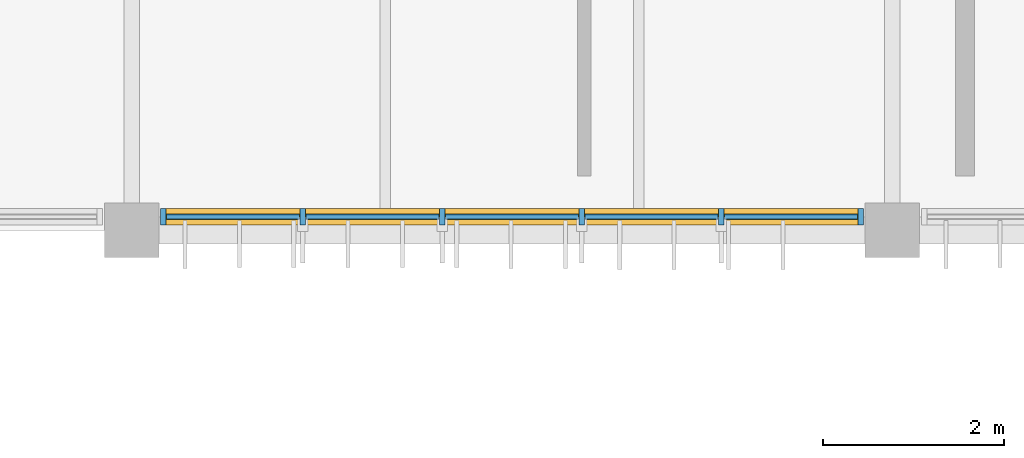
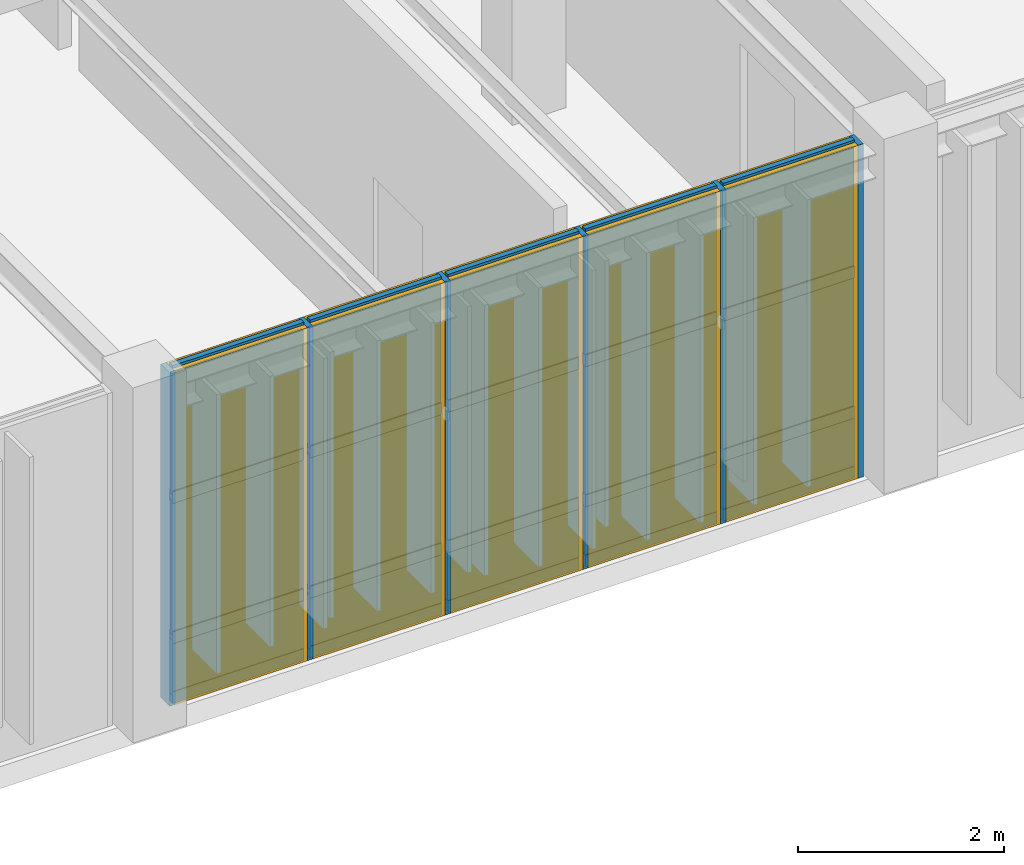
# One storey, part 67 of 122: 26 members, 15 plates, 1 curtain wall.
"""IFC4 building model written with IfcOpenShell, lengths in metres."""

from ifc_helpers import new_model, si_unit, direction, frame, frame_2d, origin, origin_2d, place, context, subcontext, project, spatial, rectangle, extrude, material, layer, layer_set, material_profile, profile_set, type_object, element, aggregate, save


model = new_model("IFC4")

# Units and contexts
model_context = context("Model", 3, precision=1e-05, world=origin(), true_north=direction((0.0, 1.0)))
body_context = subcontext(model_context, "Body", "Model", "MODEL_VIEW")
ifc_project = project(units=[si_unit("LENGTHUNIT", "METRE"), si_unit("AREAUNIT", "SQUARE_METRE"), si_unit("VOLUMEUNIT", "CUBIC_METRE"), si_unit("PLANEANGLEUNIT", "RADIAN"), si_unit("MASSUNIT", "GRAM", prefix="KILO")], contexts=[model_context])

# Member
ifc_material_1 = material(Name="Anodised Bronze Aluminium 6063-T6", Category="aluminium")
ifc_material_profile_1 = material_profile(ifc_material_1, rectangle(XDim=0.06005859375, YDim=0.179931640625, at=origin_2d()), Name="ALU MULLION 60x180")
ifc_profile_set_1 = profile_set([ifc_material_profile_1], Name="Anodised Bronze Aluminium 6063-T6")
member_type_1 = type_object("IfcMemberType", Name="Curtain-Wall Primary Mullion 60x180", PredefinedType="MULLION", material=ifc_profile_set_1)
site_placement = place(None, origin())
building_placement = place(site_placement, origin())
storey_placement = place(building_placement, frame((0.0, 0.0, 4.800048828125)))
member_1_placement = place(storey_placement, frame((11.14990234375, 44.75, 0.0), z_axis=(0.0, 0.0, 1.0), x_axis=(1.0, 0.0, 0.0)))
member_1 = element("IfcMember", 1, at=member_1_placement, type_object=member_type_1, Name="Mullion CWM-01 CW-V6-S-L01-B2-M01", PredefinedType="MULLION", context=body_context, shape_type="SweptSolid", body=[
    extrude(rectangle(XDim=0.06005859375, YDim=0.179931640625, at=origin_2d()), origin(), (0.0, 0.0, 1.0), 3.93994140625),
])

member_2_placement = place(storey_placement, frame((12.68994140625, 44.75, 0.0), z_axis=(0.0, 0.0, 1.0), x_axis=(1.0, 0.0, 0.0)))
member_2 = element("IfcMember", 2, at=member_2_placement, type_object=member_type_1, Name="Mullion CWM-01 CW-V6-S-L01-B2-M02", PredefinedType="MULLION", context=body_context, shape_type="SweptSolid", body=[
    extrude(rectangle(XDim=0.06005859375, YDim=0.179931640625, at=origin_2d()), origin(), (0.0, 0.0, 1.0), 3.93994140625),
])

member_3_placement = place(storey_placement, frame((14.22998046875, 44.75, 0.0), z_axis=(0.0, 0.0, 1.0), x_axis=(1.0, 0.0, 0.0)))
member_3 = element("IfcMember", 3, at=member_3_placement, type_object=member_type_1, Name="Mullion CWM-01 CW-V6-S-L01-B2-M03", PredefinedType="MULLION", context=body_context, shape_type="SweptSolid", body=[
    extrude(rectangle(XDim=0.06005859375, YDim=0.179931640625, at=origin_2d()), origin(), (0.0, 0.0, 1.0), 3.93994140625),
])

member_4_placement = place(storey_placement, frame((15.77001953125, 44.75, 0.0), z_axis=(0.0, 0.0, 1.0), x_axis=(1.0, 0.0, 0.0)))
member_4 = element("IfcMember", 4, at=member_4_placement, type_object=member_type_1, Name="Mullion CWM-01 CW-V6-S-L01-B2-M04", PredefinedType="MULLION", context=body_context, shape_type="SweptSolid", body=[
    extrude(rectangle(XDim=0.06005859375, YDim=0.179931640625, at=origin_2d()), origin(), (0.0, 0.0, 1.0), 3.93994140625),
])

member_5_placement = place(storey_placement, frame((17.31005859375, 44.75, 0.0), z_axis=(0.0, 0.0, 1.0), x_axis=(1.0, 0.0, 0.0)))
member_5 = element("IfcMember", 5, at=member_5_placement, type_object=member_type_1, Name="Mullion CWM-01 CW-V6-S-L01-B2-M05", PredefinedType="MULLION", context=body_context, shape_type="SweptSolid", body=[
    extrude(rectangle(XDim=0.06005859375, YDim=0.179931640625, at=origin_2d()), origin(), (0.0, 0.0, 1.0), 3.93994140625),
])

member_6_placement = place(storey_placement, frame((18.85009765625, 44.75, 0.0), z_axis=(0.0, 0.0, 1.0), x_axis=(1.0, 0.0, 0.0)))
member_6 = element("IfcMember", 6, at=member_6_placement, type_object=member_type_1, Name="Mullion CWM-01 CW-V6-S-L01-B2-M06", PredefinedType="MULLION", context=body_context, shape_type="SweptSolid", body=[
    extrude(rectangle(XDim=0.06005859375, YDim=0.179931640625, at=origin_2d()), origin(), (0.0, 0.0, 1.0), 3.93994140625),
])

ifc_material_profile_2 = material_profile(ifc_material_1, rectangle(XDim=0.06005859375, YDim=0.139892578125, at=origin_2d()), Name="ALU TRANSOM 60x140")
ifc_profile_set_2 = profile_set([ifc_material_profile_2], Name="Anodised Bronze Aluminium 6063-T6")
member_type_2 = type_object("IfcMemberType", Name="Curtain-Wall Transom 60x140", PredefinedType="USERDEFINED", material=ifc_profile_set_2)
member_7_placement = place(storey_placement, frame((11.18505859375, 44.75, 0.0400390625), z_axis=(1.0, 0.0, 0.0), x_axis=(0.0, 1.0, 0.0)))
member_7 = element("IfcMember", 7, at=member_7_placement, type_object=member_type_2, Name="Transom CWT-01 CW-V6-S-L01-B2-T01.1", ObjectType="TRANSOM", PredefinedType="USERDEFINED", context=body_context, shape_type="SweptSolid", body=[
    extrude(rectangle(XDim=0.06005859375, YDim=0.139892578125, at=origin_2d()), origin(), (0.0, 0.0, 1.0), 1.469970703125),
])

member_8_placement = place(storey_placement, frame((11.18505859375, 44.75, 0.75), z_axis=(1.0, 0.0, 0.0), x_axis=(0.0, 1.0, 0.0)))
member_8 = element("IfcMember", 8, at=member_8_placement, type_object=member_type_2, Name="Transom CWT-01 CW-V6-S-L01-B2-T01.2", ObjectType="TRANSOM", PredefinedType="USERDEFINED", context=body_context, shape_type="SweptSolid", body=[
    extrude(rectangle(XDim=0.06005859375, YDim=0.139892578125, at=origin_2d()), origin(), (0.0, 0.0, 1.0), 1.469970703125),
])

member_9_placement = place(storey_placement, frame((11.18505859375, 44.75, 2.40869140625), z_axis=(1.0, 0.0, 0.0), x_axis=(0.0, 1.0, 0.0)))
member_9 = element("IfcMember", 9, at=member_9_placement, type_object=member_type_2, Name="Transom CWT-01 CW-V6-S-L01-B2-T01.3", ObjectType="TRANSOM", PredefinedType="USERDEFINED", context=body_context, shape_type="SweptSolid", body=[
    extrude(rectangle(XDim=0.06005859375, YDim=0.139892578125, at=origin_2d()), origin(), (0.0, 0.0, 1.0), 1.469970703125),
])

member_10_placement = place(storey_placement, frame((11.18505859375, 44.75, 3.89990234375), z_axis=(1.0, 0.0, 0.0), x_axis=(0.0, 1.0, 0.0)))
member_10 = element("IfcMember", 10, at=member_10_placement, type_object=member_type_2, Name="Transom CWT-01 CW-V6-S-L01-B2-T01.4", ObjectType="TRANSOM", PredefinedType="USERDEFINED", context=body_context, shape_type="SweptSolid", body=[
    extrude(rectangle(XDim=0.06005859375, YDim=0.139892578125, at=origin_2d()), origin(), (0.0, 0.0, 1.0), 1.469970703125),
])

member_11_placement = place(storey_placement, frame((12.72509765625, 44.75, 0.0400390625), z_axis=(1.0, 0.0, 0.0), x_axis=(0.0, 1.0, 0.0)))
member_11 = element("IfcMember", 11, at=member_11_placement, type_object=member_type_2, Name="Transom CWT-01 CW-V6-S-L01-B2-T02.1", ObjectType="TRANSOM", PredefinedType="USERDEFINED", context=body_context, shape_type="SweptSolid", body=[
    extrude(rectangle(XDim=0.06005859375, YDim=0.139892578125, at=origin_2d()), origin(), (0.0, 0.0, 1.0), 1.469970703125),
])

member_12_placement = place(storey_placement, frame((12.72509765625, 44.75, 0.75), z_axis=(1.0, 0.0, 0.0), x_axis=(0.0, 1.0, 0.0)))
member_12 = element("IfcMember", 12, at=member_12_placement, type_object=member_type_2, Name="Transom CWT-01 CW-V6-S-L01-B2-T02.2", ObjectType="TRANSOM", PredefinedType="USERDEFINED", context=body_context, shape_type="SweptSolid", body=[
    extrude(rectangle(XDim=0.06005859375, YDim=0.139892578125, at=origin_2d()), origin(), (0.0, 0.0, 1.0), 1.469970703125),
])

member_13_placement = place(storey_placement, frame((12.72509765625, 44.75, 2.40869140625), z_axis=(1.0, 0.0, 0.0), x_axis=(0.0, 1.0, 0.0)))
member_13 = element("IfcMember", 13, at=member_13_placement, type_object=member_type_2, Name="Transom CWT-01 CW-V6-S-L01-B2-T02.3", ObjectType="TRANSOM", PredefinedType="USERDEFINED", context=body_context, shape_type="SweptSolid", body=[
    extrude(rectangle(XDim=0.06005859375, YDim=0.139892578125, at=origin_2d()), origin(), (0.0, 0.0, 1.0), 1.469970703125),
])

member_14_placement = place(storey_placement, frame((12.72509765625, 44.75, 3.89990234375), z_axis=(1.0, 0.0, 0.0), x_axis=(0.0, 1.0, 0.0)))
member_14 = element("IfcMember", 14, at=member_14_placement, type_object=member_type_2, Name="Transom CWT-01 CW-V6-S-L01-B2-T02.4", ObjectType="TRANSOM", PredefinedType="USERDEFINED", context=body_context, shape_type="SweptSolid", body=[
    extrude(rectangle(XDim=0.06005859375, YDim=0.139892578125, at=origin_2d()), origin(), (0.0, 0.0, 1.0), 1.469970703125),
])

member_15_placement = place(storey_placement, frame((14.264892578125, 44.75, 0.0400390625), z_axis=(1.0, 0.0, 0.0), x_axis=(0.0, 1.0, 0.0)))
member_15 = element("IfcMember", 15, at=member_15_placement, type_object=member_type_2, Name="Transom CWT-01 CW-V6-S-L01-B2-T03.1", ObjectType="TRANSOM", PredefinedType="USERDEFINED", context=body_context, shape_type="SweptSolid", body=[
    extrude(rectangle(XDim=0.06005859375, YDim=0.139892578125, at=origin_2d()), origin(), (0.0, 0.0, 1.0), 1.47021484375),
])

member_16_placement = place(storey_placement, frame((14.264892578125, 44.75, 0.75), z_axis=(1.0, 0.0, 0.0), x_axis=(0.0, 1.0, 0.0)))
member_16 = element("IfcMember", 16, at=member_16_placement, type_object=member_type_2, Name="Transom CWT-01 CW-V6-S-L01-B2-T03.2", ObjectType="TRANSOM", PredefinedType="USERDEFINED", context=body_context, shape_type="SweptSolid", body=[
    extrude(rectangle(XDim=0.06005859375, YDim=0.139892578125, at=origin_2d()), origin(), (0.0, 0.0, 1.0), 1.47021484375),
])

member_17_placement = place(storey_placement, frame((14.264892578125, 44.75, 2.40869140625), z_axis=(1.0, 0.0, 0.0), x_axis=(0.0, 1.0, 0.0)))
member_17 = element("IfcMember", 17, at=member_17_placement, type_object=member_type_2, Name="Transom CWT-01 CW-V6-S-L01-B2-T03.3", ObjectType="TRANSOM", PredefinedType="USERDEFINED", context=body_context, shape_type="SweptSolid", body=[
    extrude(rectangle(XDim=0.06005859375, YDim=0.139892578125, at=origin_2d()), origin(), (0.0, 0.0, 1.0), 1.47021484375),
])

member_18_placement = place(storey_placement, frame((14.264892578125, 44.75, 3.89990234375), z_axis=(1.0, 0.0, 0.0), x_axis=(0.0, 1.0, 0.0)))
member_18 = element("IfcMember", 18, at=member_18_placement, type_object=member_type_2, Name="Transom CWT-01 CW-V6-S-L01-B2-T03.4", ObjectType="TRANSOM", PredefinedType="USERDEFINED", context=body_context, shape_type="SweptSolid", body=[
    extrude(rectangle(XDim=0.06005859375, YDim=0.139892578125, at=origin_2d()), origin(), (0.0, 0.0, 1.0), 1.47021484375),
])

member_19_placement = place(storey_placement, frame((15.804931640625, 44.75, 0.0400390625), z_axis=(1.0, 0.0, 0.0), x_axis=(0.0, 1.0, 0.0)))
member_19 = element("IfcMember", 19, at=member_19_placement, type_object=member_type_2, Name="Transom CWT-01 CW-V6-S-L01-B2-T04.1", ObjectType="TRANSOM", PredefinedType="USERDEFINED", context=body_context, shape_type="SweptSolid", body=[
    extrude(rectangle(XDim=0.06005859375, YDim=0.139892578125, at=origin_2d()), origin(), (0.0, 0.0, 1.0), 1.469970703125),
])

member_20_placement = place(storey_placement, frame((15.804931640625, 44.75, 0.75), z_axis=(1.0, 0.0, 0.0), x_axis=(0.0, 1.0, 0.0)))
member_20 = element("IfcMember", 20, at=member_20_placement, type_object=member_type_2, Name="Transom CWT-01 CW-V6-S-L01-B2-T04.2", ObjectType="TRANSOM", PredefinedType="USERDEFINED", context=body_context, shape_type="SweptSolid", body=[
    extrude(rectangle(XDim=0.06005859375, YDim=0.139892578125, at=origin_2d()), origin(), (0.0, 0.0, 1.0), 1.469970703125),
])

member_21_placement = place(storey_placement, frame((15.804931640625, 44.75, 2.40869140625), z_axis=(1.0, 0.0, 0.0), x_axis=(0.0, 1.0, 0.0)))
member_21 = element("IfcMember", 21, at=member_21_placement, type_object=member_type_2, Name="Transom CWT-01 CW-V6-S-L01-B2-T04.3", ObjectType="TRANSOM", PredefinedType="USERDEFINED", context=body_context, shape_type="SweptSolid", body=[
    extrude(rectangle(XDim=0.06005859375, YDim=0.139892578125, at=origin_2d()), origin(), (0.0, 0.0, 1.0), 1.469970703125),
])

member_22_placement = place(storey_placement, frame((15.804931640625, 44.75, 3.89990234375), z_axis=(1.0, 0.0, 0.0), x_axis=(0.0, 1.0, 0.0)))
member_22 = element("IfcMember", 22, at=member_22_placement, type_object=member_type_2, Name="Transom CWT-01 CW-V6-S-L01-B2-T04.4", ObjectType="TRANSOM", PredefinedType="USERDEFINED", context=body_context, shape_type="SweptSolid", body=[
    extrude(rectangle(XDim=0.06005859375, YDim=0.139892578125, at=origin_2d()), origin(), (0.0, 0.0, 1.0), 1.469970703125),
])

member_23_placement = place(storey_placement, frame((17.344970703125, 44.75, 0.0400390625), z_axis=(1.0, 0.0, 0.0), x_axis=(0.0, 1.0, 0.0)))
member_23 = element("IfcMember", 23, at=member_23_placement, type_object=member_type_2, Name="Transom CWT-01 CW-V6-S-L01-B2-T05.1", ObjectType="TRANSOM", PredefinedType="USERDEFINED", context=body_context, shape_type="SweptSolid", body=[
    extrude(rectangle(XDim=0.06005859375, YDim=0.139892578125, at=origin_2d()), origin(), (0.0, 0.0, 1.0), 1.469970703125),
])

member_24_placement = place(storey_placement, frame((17.344970703125, 44.75, 0.75), z_axis=(1.0, 0.0, 0.0), x_axis=(0.0, 1.0, 0.0)))
member_24 = element("IfcMember", 24, at=member_24_placement, type_object=member_type_2, Name="Transom CWT-01 CW-V6-S-L01-B2-T05.2", ObjectType="TRANSOM", PredefinedType="USERDEFINED", context=body_context, shape_type="SweptSolid", body=[
    extrude(rectangle(XDim=0.06005859375, YDim=0.139892578125, at=origin_2d()), origin(), (0.0, 0.0, 1.0), 1.469970703125),
])

member_25_placement = place(storey_placement, frame((17.344970703125, 44.75, 2.40869140625), z_axis=(1.0, 0.0, 0.0), x_axis=(0.0, 1.0, 0.0)))
member_25 = element("IfcMember", 25, at=member_25_placement, type_object=member_type_2, Name="Transom CWT-01 CW-V6-S-L01-B2-T05.3", ObjectType="TRANSOM", PredefinedType="USERDEFINED", context=body_context, shape_type="SweptSolid", body=[
    extrude(rectangle(XDim=0.06005859375, YDim=0.139892578125, at=origin_2d()), origin(), (0.0, 0.0, 1.0), 1.469970703125),
])

member_26_placement = place(storey_placement, frame((17.344970703125, 44.75, 3.89990234375), z_axis=(1.0, 0.0, 0.0), x_axis=(0.0, 1.0, 0.0)))
member_26 = element("IfcMember", 26, at=member_26_placement, type_object=member_type_2, Name="Transom CWT-01 CW-V6-S-L01-B2-T05.4", ObjectType="TRANSOM", PredefinedType="USERDEFINED", context=body_context, shape_type="SweptSolid", body=[
    extrude(rectangle(XDim=0.06005859375, YDim=0.139892578125, at=origin_2d()), origin(), (0.0, 0.0, 1.0), 1.469970703125),
])

# Plate
ifc_material_2 = material(Name="Insulated Bronze Aluminium Spandrel Panel", Category="aluminium")
ifc_layer_1 = layer(ifc_material_2, 0.050048828125, Name="Insulated Bronze Aluminium Spandrel Panel")
ifc_layer_set_1 = layer_set([ifc_layer_1], Name="Insulated Bronze Aluminium Spandrel Panel")
plate_type_1 = type_object("IfcPlateType", Name="Insulated Anodised Aluminium Spandrel Cassette 50", PredefinedType="CURTAIN_PANEL", material=ifc_layer_set_1)
plate_1_placement = place(storey_placement, frame((11.919921875, 44.75, 0.070068359375), z_axis=(0.0, 0.0, 1.0), x_axis=(1.0, 0.0, 0.0)))
plate_1 = element("IfcPlate", 27, at=plate_1_placement, type_object=plate_type_1, Name="Curtain Panel CWP-03 CW-V6-S-L01-B2-P01.1", PredefinedType="CURTAIN_PANEL", context=body_context, shape_type="SweptSolid", body=[
    extrude(rectangle(XDim=1.469970703125, YDim=0.050048828125, at=origin_2d()), origin(), (0.0, 0.0, 1.0), 0.64990234375),
])

plate_2_placement = place(storey_placement, frame((13.4599609375, 44.75, 0.070068359375), z_axis=(0.0, 0.0, 1.0), x_axis=(1.0, 0.0, 0.0)))
plate_2 = element("IfcPlate", 28, at=plate_2_placement, type_object=plate_type_1, Name="Curtain Panel CWP-03 CW-V6-S-L01-B2-P02.1", PredefinedType="CURTAIN_PANEL", context=body_context, shape_type="SweptSolid", body=[
    extrude(rectangle(XDim=1.469970703125, YDim=0.050048828125, at=origin_2d()), origin(), (0.0, 0.0, 1.0), 0.64990234375),
])

plate_3_placement = place(storey_placement, frame((15.0, 44.75, 0.070068359375), z_axis=(0.0, 0.0, 1.0), x_axis=(1.0, 0.0, 0.0)))
plate_3 = element("IfcPlate", 29, at=plate_3_placement, type_object=plate_type_1, Name="Curtain Panel CWP-03 CW-V6-S-L01-B2-P03.1", PredefinedType="CURTAIN_PANEL", context=body_context, shape_type="SweptSolid", body=[
    extrude(rectangle(XDim=1.469970703125, YDim=0.050048828125, at=origin_2d()), origin(), (0.0, 0.0, 1.0), 0.64990234375),
])

plate_4_placement = place(storey_placement, frame((16.5400390625, 44.75, 0.070068359375), z_axis=(0.0, 0.0, 1.0), x_axis=(1.0, 0.0, 0.0)))
plate_4 = element("IfcPlate", 30, at=plate_4_placement, type_object=plate_type_1, Name="Curtain Panel CWP-03 CW-V6-S-L01-B2-P04.1", PredefinedType="CURTAIN_PANEL", context=body_context, shape_type="SweptSolid", body=[
    extrude(rectangle(XDim=1.469970703125, YDim=0.050048828125, at=origin_2d()), origin(), (0.0, 0.0, 1.0), 0.64990234375),
])

plate_5_placement = place(storey_placement, frame((18.080078125, 44.75, 0.070068359375), z_axis=(0.0, 0.0, 1.0), x_axis=(1.0, 0.0, 0.0)))
plate_5 = element("IfcPlate", 31, at=plate_5_placement, type_object=plate_type_1, Name="Curtain Panel CWP-03 CW-V6-S-L01-B2-P05.1", PredefinedType="CURTAIN_PANEL", context=body_context, shape_type="SweptSolid", body=[
    extrude(rectangle(XDim=1.469970703125, YDim=0.050048828125, at=origin_2d()), origin(), (0.0, 0.0, 1.0), 0.64990234375),
])

ifc_material_3 = material(Name="Solar-Control Tempered Double Glazing", Category="glass")
ifc_layer_2 = layer(ifc_material_3, 0.0380859375, Name="Solar-Control Tempered Double Glazing")
ifc_layer_set_2 = layer_set([ifc_layer_2], Name="Solar-Control Tempered Double Glazing")
plate_type_2 = type_object("IfcPlateType", Name="Solar-Control Vision Glazing Unit 38", PredefinedType="CURTAIN_PANEL", material=ifc_layer_set_2)
plate_6_placement = place(storey_placement, frame((11.919921875, 44.75, 0.77978515625), z_axis=(0.0, 0.0, 1.0), x_axis=(1.0, 0.0, 0.0)))
plate_6 = element("IfcPlate", 32, at=plate_6_placement, type_object=plate_type_2, Name="Curtain Panel CWP-02 CW-V6-S-L01-B2-P01.2", PredefinedType="CURTAIN_PANEL", context=body_context, shape_type="SweptSolid", body=[
    extrude(rectangle(XDim=1.469970703125, YDim=0.0380859375, at=origin_2d()), origin(), (0.0, 0.0, 1.0), 1.598876953125),
])

plate_7_placement = place(storey_placement, frame((11.919921875, 44.75, 2.438720703125), z_axis=(0.0, 0.0, 1.0), x_axis=(1.0, 0.0, 0.0)))
plate_7 = element("IfcPlate", 33, at=plate_7_placement, type_object=plate_type_2, Name="Curtain Panel CWP-02 CW-V6-S-L01-B2-P01.3", PredefinedType="CURTAIN_PANEL", context=body_context, shape_type="SweptSolid", body=[
    extrude(rectangle(XDim=1.469970703125, YDim=0.0380859375, at=origin_2d()), origin(), (0.0, 0.0, 1.0), 1.43115234375),
])

plate_8_placement = place(storey_placement, frame((13.4599609375, 44.75, 0.77978515625), z_axis=(0.0, 0.0, 1.0), x_axis=(1.0, 0.0, 0.0)))
plate_8 = element("IfcPlate", 34, at=plate_8_placement, type_object=plate_type_2, Name="Curtain Panel CWP-02 CW-V6-S-L01-B2-P02.2", PredefinedType="CURTAIN_PANEL", context=body_context, shape_type="SweptSolid", body=[
    extrude(rectangle(XDim=1.469970703125, YDim=0.0380859375, at=origin_2d()), origin(), (0.0, 0.0, 1.0), 1.598876953125),
])

plate_9_placement = place(storey_placement, frame((13.4599609375, 44.75, 2.438720703125), z_axis=(0.0, 0.0, 1.0), x_axis=(1.0, 0.0, 0.0)))
plate_9 = element("IfcPlate", 35, at=plate_9_placement, type_object=plate_type_2, Name="Curtain Panel CWP-02 CW-V6-S-L01-B2-P02.3", PredefinedType="CURTAIN_PANEL", context=body_context, shape_type="SweptSolid", body=[
    extrude(rectangle(XDim=1.469970703125, YDim=0.0380859375, at=origin_2d()), origin(), (0.0, 0.0, 1.0), 1.43115234375),
])

plate_10_placement = place(storey_placement, frame((15.0, 44.75, 0.77978515625), z_axis=(0.0, 0.0, 1.0), x_axis=(1.0, 0.0, 0.0)))
plate_10 = element("IfcPlate", 36, at=plate_10_placement, type_object=plate_type_2, Name="Curtain Panel CWP-02 CW-V6-S-L01-B2-P03.2", PredefinedType="CURTAIN_PANEL", context=body_context, shape_type="SweptSolid", body=[
    extrude(rectangle(XDim=1.469970703125, YDim=0.0380859375, at=origin_2d()), origin(), (0.0, 0.0, 1.0), 1.598876953125),
])

plate_11_placement = place(storey_placement, frame((15.0, 44.75, 2.438720703125), z_axis=(0.0, 0.0, 1.0), x_axis=(1.0, 0.0, 0.0)))
plate_11 = element("IfcPlate", 37, at=plate_11_placement, type_object=plate_type_2, Name="Curtain Panel CWP-02 CW-V6-S-L01-B2-P03.3", PredefinedType="CURTAIN_PANEL", context=body_context, shape_type="SweptSolid", body=[
    extrude(rectangle(XDim=1.469970703125, YDim=0.0380859375, at=origin_2d()), origin(), (0.0, 0.0, 1.0), 1.43115234375),
])

plate_12_placement = place(storey_placement, frame((16.5400390625, 44.75, 0.77978515625), z_axis=(0.0, 0.0, 1.0), x_axis=(1.0, 0.0, 0.0)))
plate_12 = element("IfcPlate", 38, at=plate_12_placement, type_object=plate_type_2, Name="Curtain Panel CWP-02 CW-V6-S-L01-B2-P04.2", PredefinedType="CURTAIN_PANEL", context=body_context, shape_type="SweptSolid", body=[
    extrude(rectangle(XDim=1.469970703125, YDim=0.0380859375, at=origin_2d()), origin(), (0.0, 0.0, 1.0), 1.598876953125),
])

plate_13_placement = place(storey_placement, frame((16.5400390625, 44.75, 2.438720703125), z_axis=(0.0, 0.0, 1.0), x_axis=(1.0, 0.0, 0.0)))
plate_13 = element("IfcPlate", 39, at=plate_13_placement, type_object=plate_type_2, Name="Curtain Panel CWP-02 CW-V6-S-L01-B2-P04.3", PredefinedType="CURTAIN_PANEL", context=body_context, shape_type="SweptSolid", body=[
    extrude(rectangle(XDim=1.469970703125, YDim=0.0380859375, at=origin_2d()), origin(), (0.0, 0.0, 1.0), 1.43115234375),
])

plate_14_placement = place(storey_placement, frame((18.080078125, 44.75, 0.77978515625), z_axis=(0.0, 0.0, 1.0), x_axis=(1.0, 0.0, 0.0)))
plate_14 = element("IfcPlate", 40, at=plate_14_placement, type_object=plate_type_2, Name="Curtain Panel CWP-02 CW-V6-S-L01-B2-P05.2", PredefinedType="CURTAIN_PANEL", context=body_context, shape_type="SweptSolid", body=[
    extrude(rectangle(XDim=1.469970703125, YDim=0.0380859375, at=origin_2d()), origin(), (0.0, 0.0, 1.0), 1.598876953125),
])

plate_15_placement = place(storey_placement, frame((18.080078125, 44.75, 2.438720703125), z_axis=(0.0, 0.0, 1.0), x_axis=(1.0, 0.0, 0.0)))
plate_15 = element("IfcPlate", 41, at=plate_15_placement, type_object=plate_type_2, Name="Curtain Panel CWP-02 CW-V6-S-L01-B2-P05.3", PredefinedType="CURTAIN_PANEL", context=body_context, shape_type="SweptSolid", body=[
    extrude(rectangle(XDim=1.469970703125, YDim=0.0380859375, at=origin_2d()), origin(), (0.0, 0.0, 1.0), 1.43115234375),
])

# Site, building, storey
site = spatial("IfcSite", under=ifc_project, at=site_placement, CompositionType="ELEMENT")
building = spatial("IfcBuilding", under=site, at=building_placement, Name="Tazoul Stagehouse", CompositionType="ELEMENT")
storey = spatial("IfcBuildingStorey", under=building, at=storey_placement, Name="L01", CompositionType="ELEMENT", Elevation=4.800048828125)

# Curtain wall
curtain_wall_type = type_object("IfcCurtainWallType", Name="Foyer Clear Solar-Control Curtain Wall", PredefinedType="NOTDEFINED", material=ifc_material_1)
curtain_wall_placement = place(storey_placement, frame((11.14990234375, 44.75, 0.0), z_axis=(0.0, 0.0, 1.0), x_axis=(1.0, 0.0, 0.0)))
curtain_wall = element("IfcCurtainWall", 42, at=curtain_wall_placement, inside=storey, type_object=curtain_wall_type, Name="L01 Curtain Wall CW-02 (CW-V6-S-L01-B2)", PredefinedType="NOTDEFINED", context=body_context, shape_type="SweptSolid", body=[
    extrude(rectangle(XDim=7.7001953125, YDim=0.179931640625, at=frame_2d((3.85009765625, 0.0))), origin(), (0.0, 0.0, 1.0), 3.93994140625),
])

aggregate(curtain_wall, [member_1, member_2, member_3, member_4, member_5, member_6, member_7, member_8, member_9, member_10, plate_1, plate_6, plate_7, member_11, member_12, member_13, member_14, plate_2, plate_8, plate_9, member_15, member_16, member_17, member_18, plate_3, plate_10, plate_11, member_19, member_20, member_21, member_22, plate_4, plate_12, plate_13, member_23, member_24, member_25, member_26, plate_5, plate_14, plate_15])

save(model, "model.ifc")
